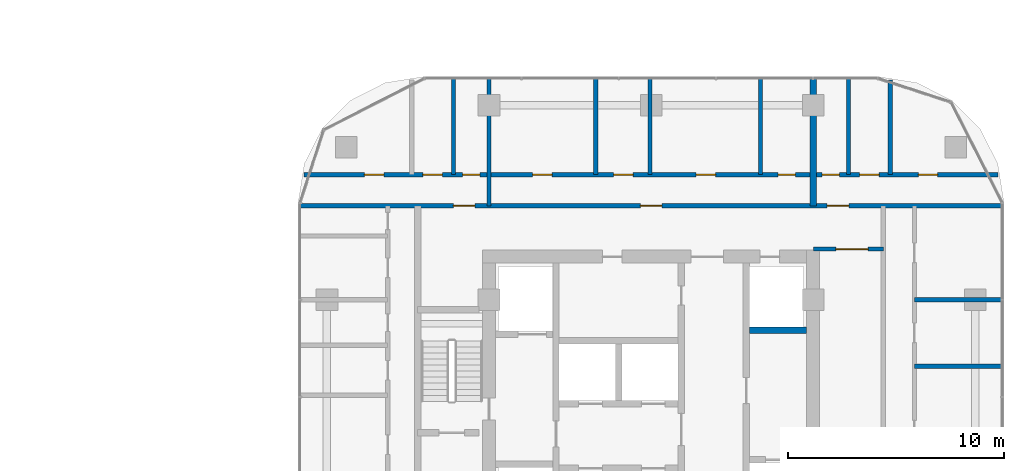
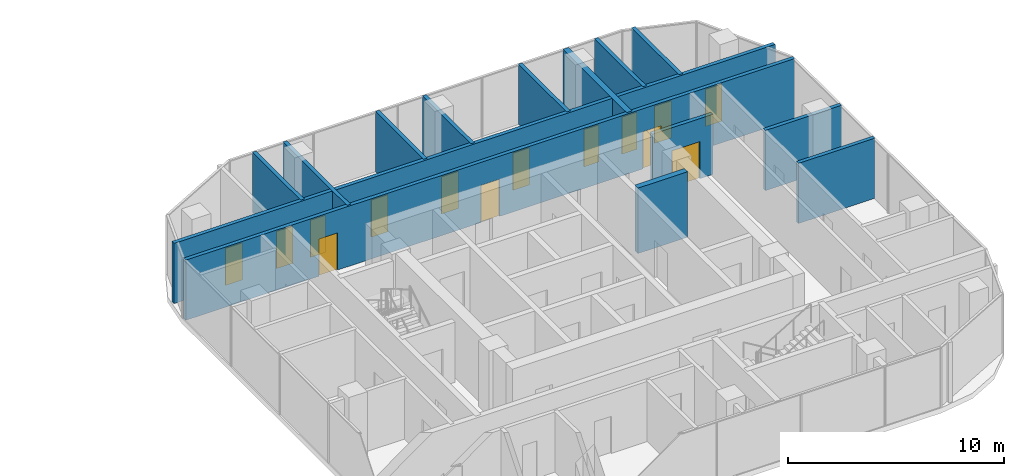
# One storey, part 26 of 36: 14 doors, 14 walls, 14 openings.
"""IFC4 building model written with IfcOpenShell, lengths in metres."""

from ifc_helpers import new_model, si_unit, direction, frame, frame_2d, origin, place, context, subcontext, project, spatial, rectangle, extrude, material, layer, layer_set, type_object, element, fill, save


model = new_model("IFC4")

# Units and contexts
model_context = context("Model", 3, precision=1e-05, world=origin(), true_north=direction((0.0, 1.0)))
body_context = subcontext(model_context, "Body", "Model", "MODEL_VIEW")
ifc_project = project(units=[si_unit("LENGTHUNIT", "METRE"), si_unit("AREAUNIT", "SQUARE_METRE"), si_unit("VOLUMEUNIT", "CUBIC_METRE"), si_unit("PLANEANGLEUNIT", "RADIAN"), si_unit("MASSUNIT", "GRAM", prefix="KILO")], contexts=[model_context])

# Site, building, storey
site_placement = place(None, origin())
site = spatial("IfcSite", under=ifc_project, at=site_placement, CompositionType="ELEMENT")
building_placement = place(site_placement, origin())
building = spatial("IfcBuilding", under=site, at=building_placement, Name="Ogive Portal Towers", CompositionType="ELEMENT")
storey_placement = place(building_placement, frame((0.0, 0.0, 48.300048828125)))
storey = spatial("IfcBuildingStorey", under=building, at=storey_placement, Name="L10", CompositionType="ELEMENT", Elevation=48.300048828125)

# Walls
ifc_material_1 = material(Name="Concrete C60/75", Category="concrete")
ifc_layer_1 = layer(ifc_material_1, 0.300048828125)
ifc_layer_set_1 = layer_set([ifc_layer_1], Name="CORE WALL 300 C60")
wall_type_1 = type_object("IfcWallType", Name="CORE WALL 300 C60", PredefinedType="SHEAR", material=ifc_layer_set_1)
wall_1_placement = place(storey_placement, frame((141.050048828125, 34.10009765625, 0.0), z_axis=(0.0, 0.0, 1.0), x_axis=(1.0, 0.0, 0.0)))
element("IfcWall", 1, at=wall_1_placement, inside=storey, type_object=wall_type_1, Name="Tower B core wall BY7 L10", PredefinedType="SHEAR", context=body_context, shape_type="SweptSolid", body=[
    extrude(rectangle(XDim=2.64990234375, YDim=0.300048828125, at=frame_2d((1.324951171875, 0.0))), origin(), (0.0, 0.0, 1.0), 3.699951171875),
])
ifc_material_2 = material(Name="Gypsum board partition on steel studs", Category="steel")
ifc_layer_2 = layer(ifc_material_2, 0.199951171875)
ifc_layer_set_2 = layer_set([ifc_layer_2], Name="WT-PART-200-EI 60")
wall_type_2 = type_object("IfcWallType", Name="WT-PART-200-EI 60", PredefinedType="PARTITIONING", material=ifc_layer_set_2)
for number, where, z_axis, x_axis, name in (
    (2, (148.68994140625, 32.43310546875, 0.0), (0.0, 0.0, 1.0), (1.0, 0.0, 0.0), "Wall L10:w012"),
    (3, (148.68994140625, 35.5, 0.0), (0.0, 0.0, 1.0), (1.0, 0.0, 0.0), "Wall L10:w016"),
):
    element("IfcWall", number, at=place(storey_placement, frame(where, z_axis=z_axis, x_axis=x_axis)), inside=storey, type_object=wall_type_2, Name=name, PredefinedType="PARTITIONING", context=body_context, shape_type="SweptSolid", body=[
        extrude(rectangle(XDim=4.074951171875, YDim=0.199951171875, at=frame_2d((2.03759765625, 0.0))), origin(), (0.0, 0.0, 1.0), 3.39990234375),
    ])

# Wall, opening, door
wall_2_placement = place(storey_placement, frame((144.02001953125, 37.85009765625, 0.0), z_axis=(0.0, 0.0, 1.0), x_axis=(1.0, 0.0, 0.0)))
wall_2 = element("IfcWall", 4, at=wall_2_placement, inside=storey, type_object=wall_type_2, Name="Wall L10:w018", PredefinedType="PARTITIONING", context=body_context, shape_type="SweptSolid", body=[
    extrude(rectangle(XDim=3.22998046875, YDim=0.199951171875, at=frame_2d((1.614990234375, 0.0))), origin(), (0.0, 0.0, 1.0), 3.39990234375),
])
opening_1_placement = place(wall_2_placement, frame((1.030029296875, 0.0, 0.0)))
opening_1 = element("IfcOpeningElement", 5, at=opening_1_placement, cuts=wall_2, Name="Opening B02-001", PredefinedType="OPENING", context=body_context, shape_type="SweptSolid", body=[
    extrude(rectangle(XDim=1.5, YDim=2.10009765625, at=frame_2d((0.75, 1.050048828125))), frame((0.0, 0.10986328125, 0.0), z_axis=(0.0, -1.0, 0.0), x_axis=(1.0, 0.0, 0.0)), (0.0, 0.0, 1.0), 0.219970703125),
])
ifc_material_3 = material(Name="Steel fire door", Category="steel")
door_type_1 = type_object("IfcDoorType", Name="DT-SWING-1500x2100-FD60S", OperationType="SINGLE_SWING_LEFT", PredefinedType="DOOR", material=ifc_material_3)
door_1_placement = place(opening_1_placement, origin())
door_1 = element("IfcDoor", 6, at=door_1_placement, inside=storey, type_object=door_type_1, Name="Door B02-001", OperationType="SINGLE_SWING_LEFT", OverallHeight=2.10009765625, OverallWidth=1.5, PredefinedType="DOOR", context=body_context, shape_type="SweptSolid", body=[
    extrude(rectangle(XDim=1.5, YDim=2.10009765625, at=frame_2d((0.75, 1.050048828125))), frame((0.0, 0.02490234375, 0.0), z_axis=(0.0, -1.0, 0.0), x_axis=(1.0, 0.0, 0.0)), (0.0, 0.0, 1.0), 0.050048828125),
])
fill(opening_1, door_1)

# Wall, openings, doors
wall_3_placement = place(storey_placement, frame((120.235107421875, 39.85009765625, 0.0), z_axis=(0.0, 0.0, 1.0), x_axis=(1.0, 0.0, 0.0)))
wall_3 = element("IfcWall", 7, at=wall_3_placement, inside=storey, type_object=wall_type_2, Name="Wall L10:w020", PredefinedType="PARTITIONING", context=body_context, shape_type="SweptSolid", body=[
    extrude(rectangle(XDim=32.52978515625, YDim=0.199951171875, at=frame_2d((16.264892578125, 0.0))), origin(), (0.0, 0.0, 1.0), 3.39990234375),
])
opening_2_placement = place(wall_3_placement, frame((7.114990234375, 0.0, 0.0)))
opening_2 = element("IfcOpeningElement", 8, at=opening_2_placement, cuts=wall_3, Name="Opening B02-004", PredefinedType="OPENING", context=body_context, shape_type="SweptSolid", body=[
    extrude(rectangle(XDim=1.0, YDim=2.10009765625, at=frame_2d((0.5, 1.050048828125))), frame((0.0, 0.10986328125, 0.0), z_axis=(0.0, -1.0, 0.0), x_axis=(1.0, 0.0, 0.0)), (0.0, 0.0, 1.0), 0.219970703125),
])
opening_3_placement = place(wall_3_placement, frame((15.764892578125, 0.0, 0.0)))
opening_3 = element("IfcOpeningElement", 9, at=opening_3_placement, cuts=wall_3, Name="Opening B02-008", PredefinedType="OPENING", context=body_context, shape_type="SweptSolid", body=[
    extrude(rectangle(XDim=1.0, YDim=2.10009765625, at=frame_2d((0.5, 1.050048828125))), frame((0.0, 0.10986328125, 0.0), z_axis=(0.0, -1.0, 0.0), x_axis=(1.0, 0.0, 0.0)), (0.0, 0.0, 1.0), 0.219970703125),
])
opening_4_placement = place(wall_3_placement, frame((24.4150390625, 0.0, 0.0)))
opening_4 = element("IfcOpeningElement", 10, at=opening_4_placement, cuts=wall_3, Name="Opening B02-013", PredefinedType="OPENING", context=body_context, shape_type="SweptSolid", body=[
    extrude(rectangle(XDim=1.0, YDim=2.10009765625, at=frame_2d((0.5, 1.050048828125))), frame((0.0, 0.10986328125, 0.0), z_axis=(0.0, -1.0, 0.0), x_axis=(1.0, 0.0, 0.0)), (0.0, 0.0, 1.0), 0.219970703125),
])
door_type_2 = type_object("IfcDoorType", Name="DT-SWING-1000x2100-FD60S", OperationType="SINGLE_SWING_LEFT", PredefinedType="DOOR", material=ifc_material_3)
door_2_placement = place(opening_2_placement, origin())
door_2 = element("IfcDoor", 11, at=door_2_placement, inside=storey, type_object=door_type_2, Name="Door B02-004", OperationType="SINGLE_SWING_RIGHT", OverallHeight=2.10009765625, OverallWidth=1.0, PredefinedType="DOOR", context=body_context, shape_type="SweptSolid", body=[
    extrude(rectangle(XDim=1.0, YDim=2.10009765625, at=frame_2d((0.5, 1.050048828125))), frame((0.0, 0.02490234375, 0.0), z_axis=(0.0, -1.0, 0.0), x_axis=(1.0, 0.0, 0.0)), (0.0, 0.0, 1.0), 0.050048828125),
])
fill(opening_2, door_2)
door_3_placement = place(opening_3_placement, origin())
door_3 = element("IfcDoor", 12, at=door_3_placement, inside=storey, type_object=door_type_2, Name="Door B02-008", OperationType="SINGLE_SWING_RIGHT", OverallHeight=2.10009765625, OverallWidth=1.0, PredefinedType="DOOR", context=body_context, shape_type="SweptSolid", body=[
    extrude(rectangle(XDim=1.0, YDim=2.10009765625, at=frame_2d((0.5, 1.050048828125))), frame((0.0, 0.02490234375, 0.0), z_axis=(0.0, -1.0, 0.0), x_axis=(1.0, 0.0, 0.0)), (0.0, 0.0, 1.0), 0.050048828125),
])
fill(opening_3, door_3)
door_4_placement = place(opening_4_placement, origin())
door_4 = element("IfcDoor", 13, at=door_4_placement, inside=storey, type_object=door_type_2, Name="Door B02-013", OperationType="SINGLE_SWING_LEFT", OverallHeight=2.10009765625, OverallWidth=1.0, PredefinedType="DOOR", context=body_context, shape_type="SweptSolid", body=[
    extrude(rectangle(XDim=1.0, YDim=2.10009765625, at=frame_2d((0.5, 1.050048828125))), frame((0.0, 0.02490234375, 0.0), z_axis=(0.0, -1.0, 0.0), x_axis=(1.0, 0.0, 0.0)), (0.0, 0.0, 1.0), 0.050048828125),
])
fill(opening_4, door_4)

wall_4_placement = place(storey_placement, frame((120.43994140625, 41.2900390625, 0.0), z_axis=(0.0, 0.0, 1.0), x_axis=(1.0, 0.0, 0.0)))
wall_4 = element("IfcWall", 14, at=wall_4_placement, inside=storey, type_object=wall_type_2, Name="Wall L10:w021", PredefinedType="PARTITIONING", context=body_context, shape_type="SweptSolid", body=[
    extrude(rectangle(XDim=32.1201171875, YDim=0.199951171875, at=frame_2d((16.06005859375, 0.0))), origin(), (0.0, 0.0, 1.0), 3.39990234375),
])
opening_5_placement = place(wall_4_placement, frame((2.79296875, 0.0, 0.0)))
opening_5 = element("IfcOpeningElement", 15, at=opening_5_placement, cuts=wall_4, Name="Opening B02-005", PredefinedType="OPENING", context=body_context, shape_type="SweptSolid", body=[
    extrude(rectangle(XDim=0.89990234375, YDim=2.10009765625, at=frame_2d((0.449951171875, 1.050048828125))), frame((0.0, 0.10986328125, 0.0), z_axis=(0.0, -1.0, 0.0), x_axis=(1.0, 0.0, 0.0)), (0.0, 0.0, 1.0), 0.219970703125),
])
opening_6_placement = place(wall_4_placement, frame((5.50390625, 0.0, 0.0)))
opening_6 = element("IfcOpeningElement", 16, at=opening_6_placement, cuts=wall_4, Name="Opening B02-006", PredefinedType="OPENING", context=body_context, shape_type="SweptSolid", body=[
    extrude(rectangle(XDim=0.89990234375, YDim=2.10009765625, at=frame_2d((0.449951171875, 1.050048828125))), frame((0.0, 0.10986328125, 0.0), z_axis=(0.0, -1.0, 0.0), x_axis=(1.0, 0.0, 0.0)), (0.0, 0.0, 1.0), 0.219970703125),
])
opening_7_placement = place(wall_4_placement, frame((7.339111328125, 0.0, 0.0)))
opening_7 = element("IfcOpeningElement", 17, at=opening_7_placement, cuts=wall_4, Name="Opening B02-007", PredefinedType="OPENING", context=body_context, shape_type="SweptSolid", body=[
    extrude(rectangle(XDim=0.800048828125, YDim=2.10009765625, at=frame_2d((0.39990234375, 1.050048828125))), frame((0.0, 0.10986328125, 0.0), z_axis=(0.0, -1.0, 0.0), x_axis=(1.0, 0.0, 0.0)), (0.0, 0.0, 1.0), 0.219970703125),
])
opening_8_placement = place(wall_4_placement, frame((10.576904296875, 0.0, 0.0)))
opening_8 = element("IfcOpeningElement", 18, at=opening_8_placement, cuts=wall_4, Name="Opening B02-009", PredefinedType="OPENING", context=body_context, shape_type="SweptSolid", body=[
    extrude(rectangle(XDim=0.89990234375, YDim=2.10009765625, at=frame_2d((0.449951171875, 1.050048828125))), frame((0.0, 0.10986328125, 0.0), z_axis=(0.0, -1.0, 0.0), x_axis=(1.0, 0.0, 0.0)), (0.0, 0.0, 1.0), 0.219970703125),
])
opening_9_placement = place(wall_4_placement, frame((14.326904296875, 0.0, 0.0)))
opening_9 = element("IfcOpeningElement", 19, at=opening_9_placement, cuts=wall_4, Name="Opening B02-010", PredefinedType="OPENING", context=body_context, shape_type="SweptSolid", body=[
    extrude(rectangle(XDim=0.89990234375, YDim=2.10009765625, at=frame_2d((0.449951171875, 1.050048828125))), frame((0.0, 0.10986328125, 0.0), z_axis=(0.0, -1.0, 0.0), x_axis=(1.0, 0.0, 0.0)), (0.0, 0.0, 1.0), 0.219970703125),
])
opening_10_placement = place(wall_4_placement, frame((18.14404296875, 0.0, 0.0)))
opening_10 = element("IfcOpeningElement", 20, at=opening_10_placement, cuts=wall_4, Name="Opening B02-011", PredefinedType="OPENING", context=body_context, shape_type="SweptSolid", body=[
    extrude(rectangle(XDim=0.89990234375, YDim=2.10009765625, at=frame_2d((0.449951171875, 1.050048828125))), frame((0.0, 0.10986328125, 0.0), z_axis=(0.0, -1.0, 0.0), x_axis=(1.0, 0.0, 0.0)), (0.0, 0.0, 1.0), 0.219970703125),
])
opening_11_placement = place(wall_4_placement, frame((21.944091796875, 0.0, 0.0)))
opening_11 = element("IfcOpeningElement", 21, at=opening_11_placement, cuts=wall_4, Name="Opening B02-012", PredefinedType="OPENING", context=body_context, shape_type="SweptSolid", body=[
    extrude(rectangle(XDim=0.800048828125, YDim=2.10009765625, at=frame_2d((0.39990234375, 1.050048828125))), frame((0.0, 0.10986328125, 0.0), z_axis=(0.0, -1.0, 0.0), x_axis=(1.0, 0.0, 0.0)), (0.0, 0.0, 1.0), 0.219970703125),
])
opening_12_placement = place(wall_4_placement, frame((23.98095703125, 0.0, 0.0)))
opening_12 = element("IfcOpeningElement", 22, at=opening_12_placement, cuts=wall_4, Name="Opening B02-014", PredefinedType="OPENING", context=body_context, shape_type="SweptSolid", body=[
    extrude(rectangle(XDim=0.800048828125, YDim=2.10009765625, at=frame_2d((0.39990234375, 1.050048828125))), frame((0.0, 0.10986328125, 0.0), z_axis=(0.0, -1.0, 0.0), x_axis=(1.0, 0.0, 0.0)), (0.0, 0.0, 1.0), 0.219970703125),
])
opening_13_placement = place(wall_4_placement, frame((25.716064453125, 0.0, 0.0)))
opening_13 = element("IfcOpeningElement", 23, at=opening_13_placement, cuts=wall_4, Name="Opening B02-015", PredefinedType="OPENING", context=body_context, shape_type="SweptSolid", body=[
    extrude(rectangle(XDim=0.89990234375, YDim=2.10009765625, at=frame_2d((0.449951171875, 1.050048828125))), frame((0.0, 0.10986328125, 0.0), z_axis=(0.0, -1.0, 0.0), x_axis=(1.0, 0.0, 0.0)), (0.0, 0.0, 1.0), 0.219970703125),
])
opening_14_placement = place(wall_4_placement, frame((28.427001953125, 0.0, 0.0)))
opening_14 = element("IfcOpeningElement", 24, at=opening_14_placement, cuts=wall_4, Name="Opening B02-016", PredefinedType="OPENING", context=body_context, shape_type="SweptSolid", body=[
    extrude(rectangle(XDim=0.89990234375, YDim=2.10009765625, at=frame_2d((0.449951171875, 1.050048828125))), frame((0.0, 0.10986328125, 0.0), z_axis=(0.0, -1.0, 0.0), x_axis=(1.0, 0.0, 0.0)), (0.0, 0.0, 1.0), 0.219970703125),
])
door_type_3 = type_object("IfcDoorType", Name="DT-SWING-800x2100-FD60S", OperationType="SINGLE_SWING_LEFT", PredefinedType="DOOR", material=ifc_material_3)
door_5_placement = place(opening_7_placement, origin())
door_5 = element("IfcDoor", 25, at=door_5_placement, inside=storey, type_object=door_type_3, Name="Door B02-007", OperationType="SINGLE_SWING_LEFT", OverallHeight=2.10009765625, OverallWidth=0.800048828125, PredefinedType="DOOR", context=body_context, shape_type="SweptSolid", body=[
    extrude(rectangle(XDim=0.800048828125, YDim=2.10009765625, at=frame_2d((0.39990234375, 1.050048828125))), frame((0.0, 0.02490234375, 0.0), z_axis=(0.0, -1.0, 0.0), x_axis=(1.0, 0.0, 0.0)), (0.0, 0.0, 1.0), 0.050048828125),
])
fill(opening_7, door_5)
door_6_placement = place(opening_11_placement, origin())
door_6 = element("IfcDoor", 26, at=door_6_placement, inside=storey, type_object=door_type_3, Name="Door B02-012", OperationType="SINGLE_SWING_RIGHT", OverallHeight=2.10009765625, OverallWidth=0.800048828125, PredefinedType="DOOR", context=body_context, shape_type="SweptSolid", body=[
    extrude(rectangle(XDim=0.800048828125, YDim=2.10009765625, at=frame_2d((0.39990234375, 1.050048828125))), frame((0.0, 0.02490234375, 0.0), z_axis=(0.0, -1.0, 0.0), x_axis=(1.0, 0.0, 0.0)), (0.0, 0.0, 1.0), 0.050048828125),
])
fill(opening_11, door_6)
door_7_placement = place(opening_12_placement, origin())
door_7 = element("IfcDoor", 27, at=door_7_placement, inside=storey, type_object=door_type_3, Name="Door B02-014", OperationType="SINGLE_SWING_RIGHT", OverallHeight=2.10009765625, OverallWidth=0.800048828125, PredefinedType="DOOR", context=body_context, shape_type="SweptSolid", body=[
    extrude(rectangle(XDim=0.800048828125, YDim=2.10009765625, at=frame_2d((0.39990234375, 1.050048828125))), frame((0.0, 0.02490234375, 0.0), z_axis=(0.0, -1.0, 0.0), x_axis=(1.0, 0.0, 0.0)), (0.0, 0.0, 1.0), 0.050048828125),
])
fill(opening_12, door_7)
door_type_4 = type_object("IfcDoorType", Name="DT-SWING-900x2100-FD60S", OperationType="SINGLE_SWING_LEFT", PredefinedType="DOOR", material=ifc_material_3)
door_8_placement = place(opening_5_placement, origin())
door_8 = element("IfcDoor", 28, at=door_8_placement, inside=storey, type_object=door_type_4, Name="Door B02-005", OperationType="SINGLE_SWING_LEFT", OverallHeight=2.10009765625, OverallWidth=0.89990234375, PredefinedType="DOOR", context=body_context, shape_type="SweptSolid", body=[
    extrude(rectangle(XDim=0.89990234375, YDim=2.10009765625, at=frame_2d((0.449951171875, 1.050048828125))), frame((0.0, 0.02490234375, 0.0), z_axis=(0.0, -1.0, 0.0), x_axis=(1.0, 0.0, 0.0)), (0.0, 0.0, 1.0), 0.050048828125),
])
fill(opening_5, door_8)
door_9_placement = place(opening_6_placement, origin())
door_9 = element("IfcDoor", 29, at=door_9_placement, inside=storey, type_object=door_type_4, Name="Door B02-006", OperationType="SINGLE_SWING_RIGHT", OverallHeight=2.10009765625, OverallWidth=0.89990234375, PredefinedType="DOOR", context=body_context, shape_type="SweptSolid", body=[
    extrude(rectangle(XDim=0.89990234375, YDim=2.10009765625, at=frame_2d((0.449951171875, 1.050048828125))), frame((0.0, 0.02490234375, 0.0), z_axis=(0.0, -1.0, 0.0), x_axis=(1.0, 0.0, 0.0)), (0.0, 0.0, 1.0), 0.050048828125),
])
fill(opening_6, door_9)
door_10_placement = place(opening_8_placement, origin())
door_10 = element("IfcDoor", 30, at=door_10_placement, inside=storey, type_object=door_type_4, Name="Door B02-009", OperationType="SINGLE_SWING_LEFT", OverallHeight=2.10009765625, OverallWidth=0.89990234375, PredefinedType="DOOR", context=body_context, shape_type="SweptSolid", body=[
    extrude(rectangle(XDim=0.89990234375, YDim=2.10009765625, at=frame_2d((0.449951171875, 1.050048828125))), frame((0.0, 0.02490234375, 0.0), z_axis=(0.0, -1.0, 0.0), x_axis=(1.0, 0.0, 0.0)), (0.0, 0.0, 1.0), 0.050048828125),
])
fill(opening_8, door_10)
door_11_placement = place(opening_9_placement, origin())
door_11 = element("IfcDoor", 31, at=door_11_placement, inside=storey, type_object=door_type_4, Name="Door B02-010", OperationType="SINGLE_SWING_RIGHT", OverallHeight=2.10009765625, OverallWidth=0.89990234375, PredefinedType="DOOR", context=body_context, shape_type="SweptSolid", body=[
    extrude(rectangle(XDim=0.89990234375, YDim=2.10009765625, at=frame_2d((0.449951171875, 1.050048828125))), frame((0.0, 0.02490234375, 0.0), z_axis=(0.0, -1.0, 0.0), x_axis=(1.0, 0.0, 0.0)), (0.0, 0.0, 1.0), 0.050048828125),
])
fill(opening_9, door_11)
door_12_placement = place(opening_10_placement, origin())
door_12 = element("IfcDoor", 32, at=door_12_placement, inside=storey, type_object=door_type_4, Name="Door B02-011", OperationType="SINGLE_SWING_LEFT", OverallHeight=2.10009765625, OverallWidth=0.89990234375, PredefinedType="DOOR", context=body_context, shape_type="SweptSolid", body=[
    extrude(rectangle(XDim=0.89990234375, YDim=2.10009765625, at=frame_2d((0.449951171875, 1.050048828125))), frame((0.0, 0.02490234375, 0.0), z_axis=(0.0, -1.0, 0.0), x_axis=(1.0, 0.0, 0.0)), (0.0, 0.0, 1.0), 0.050048828125),
])
fill(opening_10, door_12)
door_13_placement = place(opening_13_placement, origin())
door_13 = element("IfcDoor", 33, at=door_13_placement, inside=storey, type_object=door_type_4, Name="Door B02-015", OperationType="SINGLE_SWING_LEFT", OverallHeight=2.10009765625, OverallWidth=0.89990234375, PredefinedType="DOOR", context=body_context, shape_type="SweptSolid", body=[
    extrude(rectangle(XDim=0.89990234375, YDim=2.10009765625, at=frame_2d((0.449951171875, 1.050048828125))), frame((0.0, 0.02490234375, 0.0), z_axis=(0.0, -1.0, 0.0), x_axis=(1.0, 0.0, 0.0)), (0.0, 0.0, 1.0), 0.050048828125),
])
fill(opening_13, door_13)
door_14_placement = place(opening_14_placement, origin())
door_14 = element("IfcDoor", 34, at=door_14_placement, inside=storey, type_object=door_type_4, Name="Door B02-016", OperationType="SINGLE_SWING_RIGHT", OverallHeight=2.10009765625, OverallWidth=0.89990234375, PredefinedType="DOOR", context=body_context, shape_type="SweptSolid", body=[
    extrude(rectangle(XDim=0.89990234375, YDim=2.10009765625, at=frame_2d((0.449951171875, 1.050048828125))), frame((0.0, 0.02490234375, 0.0), z_axis=(0.0, -1.0, 0.0), x_axis=(1.0, 0.0, 0.0)), (0.0, 0.0, 1.0), 0.050048828125),
])
fill(opening_14, door_14)

# Walls
wall_5_placement = place(storey_placement, frame((127.35888671875, 41.2900390625, 0.0), z_axis=(0.0, 0.0, 1.0), x_axis=(0.0, 1.0, 0.0)))
element("IfcWall", 35, at=wall_5_placement, inside=storey, type_object=wall_type_2, Name="Wall L10:w026", PredefinedType="PARTITIONING", context=body_context, shape_type="SweptSolid", body=[
    extrude(rectangle(XDim=4.474853515625, YDim=0.199951171875, at=frame_2d((2.2373046875, 0.0))), origin(), (0.0, 0.0, 1.0), 3.39990234375),
])
wall_6_placement = place(storey_placement, frame((129.0, 39.85009765625, 0.0), z_axis=(0.0, 0.0, 1.0), x_axis=(0.0, 1.0, 0.0)))
element("IfcWall", 36, at=wall_6_placement, inside=storey, type_object=wall_type_2, Name="Wall L10:w030", PredefinedType="PARTITIONING", context=body_context, shape_type="SweptSolid", body=[
    extrude(rectangle(XDim=5.914794921875, YDim=0.199951171875, at=frame_2d((2.95751953125, 0.0))), origin(), (0.0, 0.0, 1.0), 3.39990234375),
])
for number, where, z_axis, x_axis, name in (
    (37, (133.93310546875, 41.2900390625, 0.0), (0.0, 0.0, 1.0), (0.0, 1.0, 0.0), "Wall L10:w032"),
    (38, (136.449951171875, 41.2900390625, 0.0), (0.0, 0.0, 1.0), (0.0, 1.0, 0.0), "Wall L10:w034"),
    (39, (141.569091796875, 41.2900390625, 0.0), (0.0, 0.0, 1.0), (0.0, 1.0, 0.0), "Wall L10:w036"),
    (40, (145.64111328125, 41.2900390625, 0.0), (0.0, 0.0, 1.0), (0.0, 1.0, 0.0), "Wall L10:w042"),
):
    element("IfcWall", number, at=place(storey_placement, frame(where, z_axis=z_axis, x_axis=x_axis)), inside=storey, type_object=wall_type_2, Name=name, PredefinedType="PARTITIONING", context=body_context, shape_type="SweptSolid", body=[
        extrude(rectangle(XDim=4.474853515625, YDim=0.199951171875, at=frame_2d((2.2373046875, 0.0))), origin(), (0.0, 0.0, 1.0), 3.39990234375),
    ])
wall_7_placement = place(storey_placement, frame((147.571044921875, 41.2900390625, 0.0), z_axis=(0.0, 0.0, 1.0), x_axis=(0.0, 1.0, 0.0)))
element("IfcWall", 41, at=wall_7_placement, inside=storey, type_object=wall_type_2, Name="Wall L10:w045", PredefinedType="PARTITIONING", context=body_context, shape_type="SweptSolid", body=[
    extrude(rectangle(XDim=4.384033203125, YDim=0.199951171875, at=frame_2d((2.19189453125, 0.0))), origin(), (0.0, 0.0, 1.0), 3.39990234375),
])
ifc_layer_3 = layer(ifc_material_2, 0.300048828125)
ifc_layer_set_3 = layer_set([ifc_layer_3], Name="WT-PART-300-EI 60")
wall_type_3 = type_object("IfcWallType", Name="WT-PART-300-EI 60", PredefinedType="PARTITIONING", material=ifc_layer_set_3)
wall_8_placement = place(storey_placement, frame((144.0, 39.85009765625, 0.0), z_axis=(0.0, 0.0, 1.0), x_axis=(0.0, 1.0, 0.0)))
element("IfcWall", 42, at=wall_8_placement, inside=storey, type_object=wall_type_3, Name="Wall L10:w038", PredefinedType="PARTITIONING", context=body_context, shape_type="SweptSolid", body=[
    extrude(rectangle(XDim=5.914794921875, YDim=0.300048828125, at=frame_2d((2.95751953125, 0.0))), origin(), (0.0, 0.0, 1.0), 3.39990234375),
])

save(model, "model.ifc")
